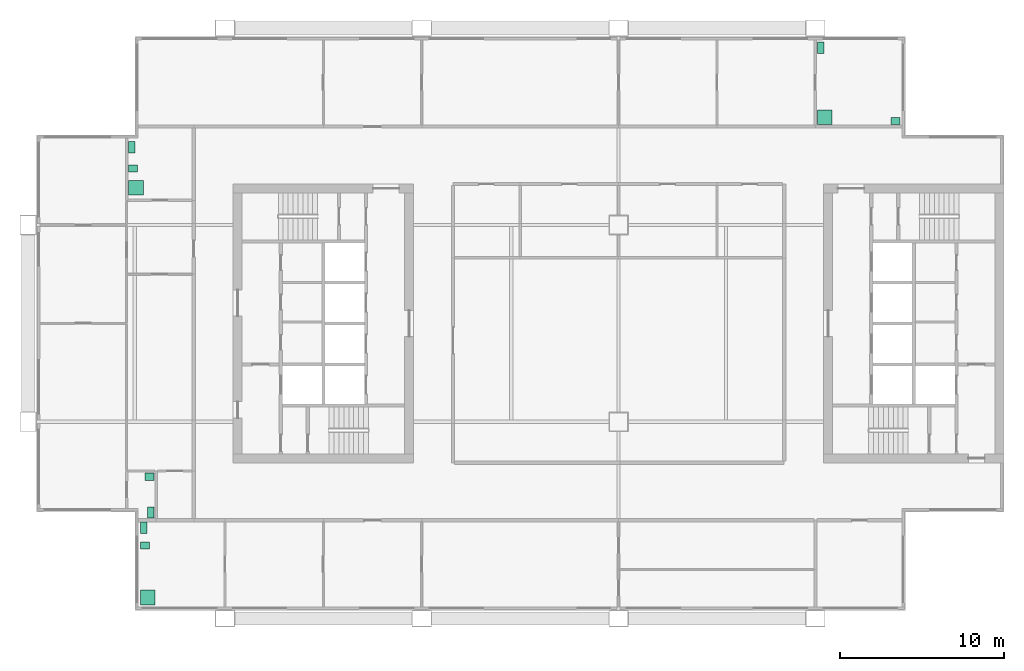
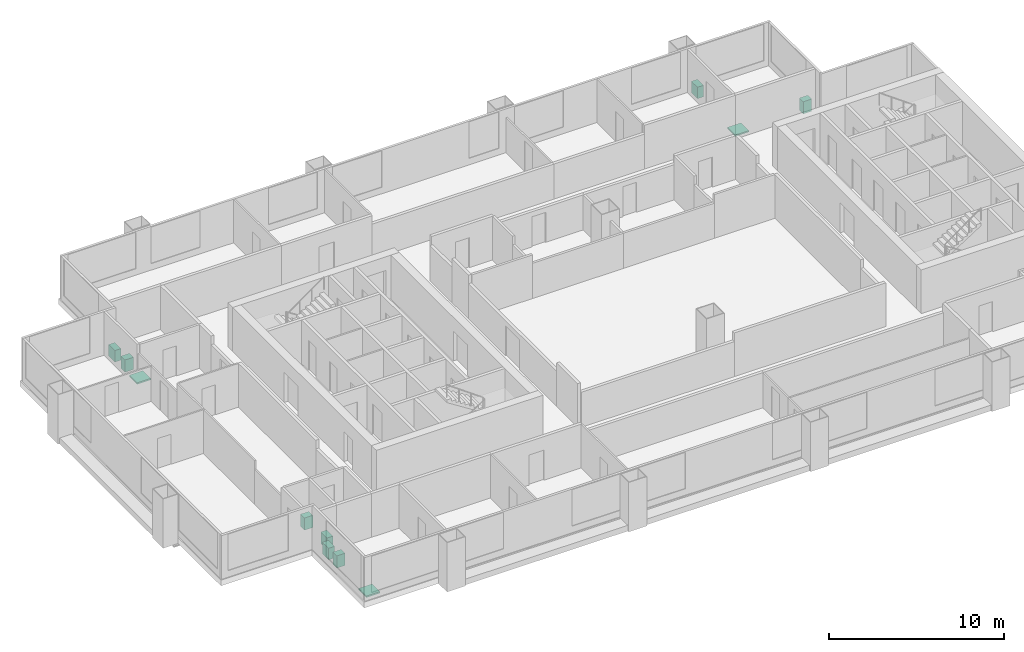
# One storey, part 8 of 8: 11 sanitary terminals.
"""IFC4 building model written with IfcOpenShell, lengths in metres."""

from ifc_helpers import new_model, si_unit, direction, frame, origin, origin_2d, place, context, subcontext, project, spatial, rectangle, extrude, material, type_object, element, save


model = new_model("IFC4")

# Units and contexts
model_context = context("Model", 3, precision=1e-05, world=origin(), true_north=direction((0.0, 1.0)))
body_context = subcontext(model_context, "Body", "Model", "MODEL_VIEW")
ifc_project = project(units=[si_unit("LENGTHUNIT", "METRE"), si_unit("AREAUNIT", "SQUARE_METRE"), si_unit("VOLUMEUNIT", "CUBIC_METRE"), si_unit("PLANEANGLEUNIT", "RADIAN"), si_unit("MASSUNIT", "GRAM", prefix="KILO")], contexts=[model_context])

# Site, building, storey
site_placement = place(None, origin())
site = spatial("IfcSite", under=ifc_project, at=site_placement, CompositionType="ELEMENT")
building_placement = place(site_placement, origin())
building = spatial("IfcBuilding", under=site, at=building_placement, Name="Kitamizu Gate Tower and Museum", CompositionType="ELEMENT")
storey_placement = place(building_placement, frame((0.0, 0.0, 199.64990234375)))
storey = spatial("IfcBuildingStorey", under=building, at=storey_placement, Name="L53", CompositionType="ELEMENT", Elevation=199.64990234375)

# Sanitary terminals
ifc_material_1 = material(Name="Acrylic")
sanitary_terminal_type_1 = type_object("IfcSanitaryTerminalType", Name="Shower tray", PredefinedType="SHOWER", material=ifc_material_1)
for number, where, z_axis, x_axis, name in (
    (1, (7.2900390625, 13.2900390625, 0.0009765625), (0.0, 0.0, 1.0), (1.0, 0.0, 0.0), "Shower tray En-suite bathroom and WC 53A"),
    (2, (48.570068359375, 42.570068359375, 0.0009765625), (0.0, 0.0, 1.0), (1.0, 0.0, 0.0), "Shower tray En-suite bathroom and WC 53C"),
    (3, (6.570068359375, 38.27001953125, 0.0009765625), (0.0, 0.0, 1.0), (1.0, 0.0, 0.0), "Shower tray En-suite bathroom 53D"),
):
    element("IfcSanitaryTerminal", number, at=place(storey_placement, frame(where, z_axis=z_axis, x_axis=x_axis)), inside=storey, type_object=sanitary_terminal_type_1, Name=name, PredefinedType="SHOWER", context=body_context, shape_type="SweptSolid", body=[
        extrude(rectangle(XDim=0.89990234375, YDim=0.89990234375, at=origin_2d()), origin(), (0.0, 0.0, 1.0), 0.10009765625),
    ])
ifc_material_2 = material(Name="Vitreous china")
sanitary_terminal_type_2 = type_object("IfcSanitaryTerminalType", Name="Wash hand basin", PredefinedType="WASHHANDBASIN", material=ifc_material_2)
for number, where, z_axis, x_axis, name in (
    (4, (7.114990234375, 16.455078125, 0.0009765625), (0.0, 0.0, 1.0), (1.0, 0.0, 0.0), "Wash hand basin En-suite bathroom and WC 53A"),
    (5, (52.885009765625, 42.344970703125, 0.0009765625), (0.0, 0.0, 1.0), (1.0, 0.0, 0.0), "Wash hand basin En-suite bathroom and WC 53C"),
    (6, (7.405029296875, 20.655029296875, 0.0009765625), (0.0, 0.0, 1.0), (1.0, 0.0, 0.0), "Wash hand basin WC 53D"),
    (7, (6.39501953125, 39.445068359375, 0.0009765625), (0.0, 0.0, 1.0), (1.0, 0.0, 0.0), "Wash hand basin En-suite bathroom 53D"),
):
    element("IfcSanitaryTerminal", number, at=place(storey_placement, frame(where, z_axis=z_axis, x_axis=x_axis)), inside=storey, type_object=sanitary_terminal_type_2, Name=name, PredefinedType="WASHHANDBASIN", context=body_context, shape_type="SweptSolid", body=[
        extrude(rectangle(XDim=0.550048828125, YDim=0.449951171875, at=origin_2d()), origin(), (0.0, 0.0, 1.0), 0.85009765625),
    ])
ifc_material_3 = material(Name="Vitreous china")
sanitary_terminal_type_3 = type_object("IfcSanitaryTerminalType", Name="Water closet", PredefinedType="TOILETPAN", material=ifc_material_3)
for number, where, z_axis, x_axis, name in (
    (8, (7.0400390625, 17.530029296875, 0.0009765625), (0.0, 0.0, 1.0), (1.0, 0.0, 0.0), "Water closet En-suite bathroom and WC 53A"),
    (9, (48.320068359375, 46.81005859375, 0.0009765625), (0.0, 0.0, 1.0), (1.0, 0.0, 0.0), "Water closet En-suite bathroom and WC 53C"),
    (10, (7.47998046875, 18.469970703125, 0.0009765625), (0.0, 0.0, 1.0), (1.0, 0.0, 0.0), "Water closet WC 53D"),
    (11, (6.320068359375, 40.72998046875, 0.0009765625), (0.0, 0.0, 1.0), (1.0, 0.0, 0.0), "Water closet En-suite bathroom 53D"),
):
    element("IfcSanitaryTerminal", number, at=place(storey_placement, frame(where, z_axis=z_axis, x_axis=x_axis)), inside=storey, type_object=sanitary_terminal_type_3, Name=name, PredefinedType="TOILETPAN", context=body_context, shape_type="SweptSolid", body=[
        extrude(rectangle(XDim=0.39990234375, YDim=0.699951171875, at=origin_2d()), origin(), (0.0, 0.0, 1.0), 0.800048828125),
    ])

save(model, "model.ifc")
